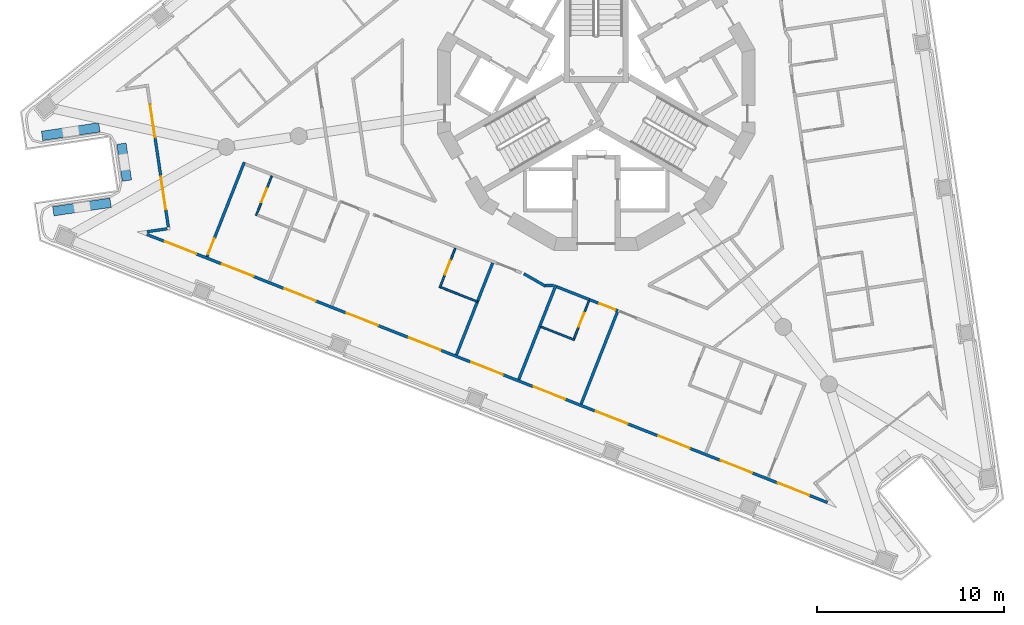
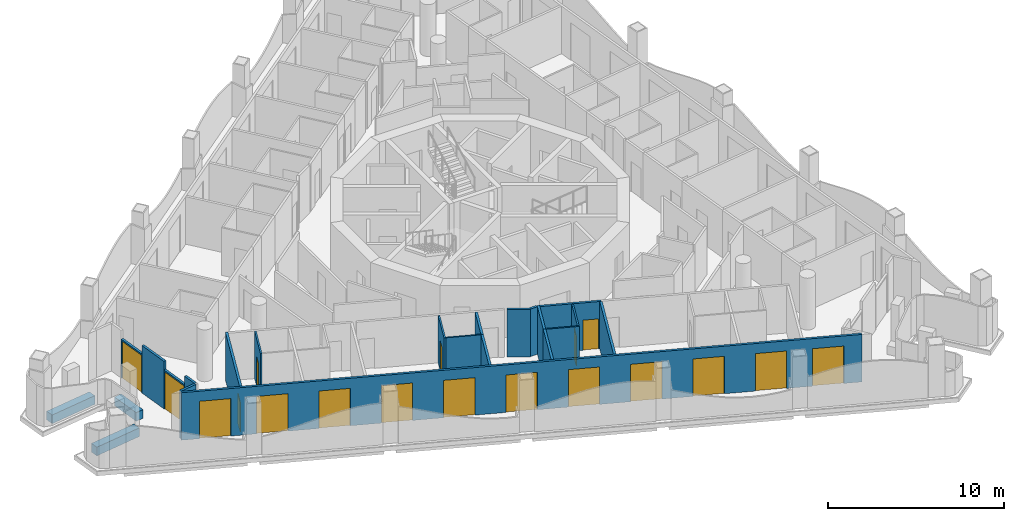
# One storey, part 2 of 17: 24 walls, 18 doors, 18 openings.
"""IFC4 building model written with IfcOpenShell, lengths in metres."""

from ifc_helpers import new_model, si_unit, direction, frame, frame_2d, origin, place, context, subcontext, project, spatial, polyline, rectangle, outline, extrude, material, layer, layer_set, type_object, element, fill, save


model = new_model("IFC4")

# Units and contexts
model_context = context("Model", 3, precision=1e-05, world=origin(), true_north=direction((0.0, 1.0)))
body_context = subcontext(model_context, "Body", "Model", "MODEL_VIEW")
ifc_project = project(units=[si_unit("LENGTHUNIT", "METRE"), si_unit("AREAUNIT", "SQUARE_METRE"), si_unit("VOLUMEUNIT", "CUBIC_METRE"), si_unit("PLANEANGLEUNIT", "RADIAN"), si_unit("MASSUNIT", "GRAM", prefix="KILO")], contexts=[model_context])

# Site, building, storey
site_placement = place(None, origin())
site = spatial("IfcSite", under=ifc_project, at=site_placement, CompositionType="ELEMENT")
building_placement = place(site_placement, origin())
building = spatial("IfcBuilding", under=site, at=building_placement, Name="Trine Commons Tower", CompositionType="ELEMENT")
storey_placement = place(building_placement, frame((0.0, 0.0, 216.0)))
storey = spatial("IfcBuildingStorey", under=building, at=storey_placement, Name="L56", CompositionType="ELEMENT", Elevation=216.0)

# Wall, openings, doors
ifc_material_1 = material(Name="Aluminium-framed insulated wall panel", Category="aluminium")
ifc_layer_1 = layer(ifc_material_1, 0.14990234375)
ifc_layer_set_1 = layer_set([ifc_layer_1], Name="Aluminium-framed insulated wall panel")
wall_type_1 = type_object("IfcWallType", Name="Glazed frame wall 150, EI 60", PredefinedType="SOLIDWALL", material=ifc_layer_set_1)
wall_1_placement = place(storey_placement, frame((92.513916015625, 40.4541015625, 0.0), z_axis=(0.0, 0.0, 1.0), x_axis=(-0.930417922313, 0.3665003272, 0.0)))
wall_1 = element("IfcWall", 1, at=wall_1_placement, inside=storey, type_object=wall_type_1, Name="Glazed frame wall F3", PredefinedType="SOLIDWALL", context=body_context, shape_type="SweptSolid", body=[
    extrude(outline(polyline([(0.1494140625, 0.074951171875), (0.1494140625, -0.074951171875), (39.296875, -0.074951171875), (39.296875, 0.074951171875), (0.1494140625, 0.074951171875)])), origin(), (0.0, 0.0, 1.0), 3.300048828125),
])
opening_1_placement = place(wall_1_placement, frame((1.193115234375, 0.0, 0.0)))
opening_1 = element("IfcOpeningElement", 2, at=opening_1_placement, cuts=wall_1, Name="Opening BD-6F3-01", PredefinedType="OPENING", context=body_context, shape_type="SweptSolid", body=[
    extrude(rectangle(XDim=1.800048828125, YDim=2.60009765625, at=frame_2d((0.89990234375, 1.300048828125))), frame((0.0, 0.0849609375, 0.0), z_axis=(0.0, -1.0, 0.0), x_axis=(1.0, 0.0, 0.0)), (0.0, 0.0, 1.0), 0.169921875),
])
opening_2_placement = place(wall_1_placement, frame((4.47900390625, 0.0, 0.0)))
opening_2 = element("IfcOpeningElement", 3, at=opening_2_placement, cuts=wall_1, Name="Opening BD-6F3-02", PredefinedType="OPENING", context=body_context, shape_type="SweptSolid", body=[
    extrude(rectangle(XDim=1.800048828125, YDim=2.60009765625, at=frame_2d((0.89990234375, 1.300048828125))), frame((0.0, 0.0849609375, 0.0), z_axis=(0.0, -1.0, 0.0), x_axis=(1.0, 0.0, 0.0)), (0.0, 0.0, 1.0), 0.169921875),
])
opening_3_placement = place(wall_1_placement, frame((8.06494140625, 0.0, 0.0)))
opening_3 = element("IfcOpeningElement", 4, at=opening_3_placement, cuts=wall_1, Name="Opening BD-6F3-03", PredefinedType="OPENING", context=body_context, shape_type="SweptSolid", body=[
    extrude(rectangle(XDim=1.800048828125, YDim=2.60009765625, at=frame_2d((0.89990234375, 1.300048828125))), frame((0.0, 0.0849609375, 0.0), z_axis=(0.0, -1.0, 0.0), x_axis=(1.0, 0.0, 0.0)), (0.0, 0.0, 1.0), 0.169921875),
])
opening_4_placement = place(wall_1_placement, frame((11.65087890625, 0.0, 0.0)))
opening_4 = element("IfcOpeningElement", 5, at=opening_4_placement, cuts=wall_1, Name="Opening BD-6F3-04", PredefinedType="OPENING", context=body_context, shape_type="SweptSolid", body=[
    extrude(rectangle(XDim=1.800048828125, YDim=2.60009765625, at=frame_2d((0.89990234375, 1.300048828125))), frame((0.0, 0.0849609375, 0.0), z_axis=(0.0, -1.0, 0.0), x_axis=(1.0, 0.0, 0.0)), (0.0, 0.0, 1.0), 0.169921875),
])
opening_5_placement = place(wall_1_placement, frame((15.237060546875, 0.0, 0.0)))
opening_5 = element("IfcOpeningElement", 6, at=opening_5_placement, cuts=wall_1, Name="Opening BD-6F3-05", PredefinedType="OPENING", context=body_context, shape_type="SweptSolid", body=[
    extrude(rectangle(XDim=1.800048828125, YDim=2.60009765625, at=frame_2d((0.89990234375, 1.300048828125))), frame((0.0, 0.0849609375, 0.0), z_axis=(0.0, -1.0, 0.0), x_axis=(1.0, 0.0, 0.0)), (0.0, 0.0, 1.0), 0.169921875),
])
opening_6_placement = place(wall_1_placement, frame((18.822998046875, 0.0, 0.0)))
opening_6 = element("IfcOpeningElement", 7, at=opening_6_placement, cuts=wall_1, Name="Opening BD-6F3-06", PredefinedType="OPENING", context=body_context, shape_type="SweptSolid", body=[
    extrude(rectangle(XDim=1.800048828125, YDim=2.60009765625, at=frame_2d((0.89990234375, 1.300048828125))), frame((0.0, 0.0849609375, 0.0), z_axis=(0.0, -1.0, 0.0), x_axis=(1.0, 0.0, 0.0)), (0.0, 0.0, 1.0), 0.169921875),
])
opening_7_placement = place(wall_1_placement, frame((22.408935546875, 0.0, 0.0)))
opening_7 = element("IfcOpeningElement", 8, at=opening_7_placement, cuts=wall_1, Name="Opening BD-6F3-07", PredefinedType="OPENING", context=body_context, shape_type="SweptSolid", body=[
    extrude(rectangle(XDim=1.800048828125, YDim=2.60009765625, at=frame_2d((0.89990234375, 1.300048828125))), frame((0.0, 0.0849609375, 0.0), z_axis=(0.0, -1.0, 0.0), x_axis=(1.0, 0.0, 0.0)), (0.0, 0.0, 1.0), 0.169921875),
])
opening_8_placement = place(wall_1_placement, frame((25.9951171875, 0.0, 0.0)))
opening_8 = element("IfcOpeningElement", 9, at=opening_8_placement, cuts=wall_1, Name="Opening BD-6F3-08", PredefinedType="OPENING", context=body_context, shape_type="SweptSolid", body=[
    extrude(rectangle(XDim=1.800048828125, YDim=2.60009765625, at=frame_2d((0.89990234375, 1.300048828125))), frame((0.0, 0.0849609375, 0.0), z_axis=(0.0, -1.0, 0.0), x_axis=(1.0, 0.0, 0.0)), (0.0, 0.0, 1.0), 0.169921875),
])
opening_9_placement = place(wall_1_placement, frame((29.5810546875, 0.0, 0.0)))
opening_9 = element("IfcOpeningElement", 10, at=opening_9_placement, cuts=wall_1, Name="Opening BD-6F3-09", PredefinedType="OPENING", context=body_context, shape_type="SweptSolid", body=[
    extrude(rectangle(XDim=1.800048828125, YDim=2.60009765625, at=frame_2d((0.89990234375, 1.300048828125))), frame((0.0, 0.0849609375, 0.0), z_axis=(0.0, -1.0, 0.0), x_axis=(1.0, 0.0, 0.0)), (0.0, 0.0, 1.0), 0.169921875),
])
opening_10_placement = place(wall_1_placement, frame((33.1669921875, 0.0, 0.0)))
opening_10 = element("IfcOpeningElement", 11, at=opening_10_placement, cuts=wall_1, Name="Opening BD-6F3-10", PredefinedType="OPENING", context=body_context, shape_type="SweptSolid", body=[
    extrude(rectangle(XDim=1.800048828125, YDim=2.60009765625, at=frame_2d((0.89990234375, 1.300048828125))), frame((0.0, 0.0849609375, 0.0), z_axis=(0.0, -1.0, 0.0), x_axis=(1.0, 0.0, 0.0)), (0.0, 0.0, 1.0), 0.169921875),
])
opening_11_placement = place(wall_1_placement, frame((36.452880859375, 0.0, 0.0)))
opening_11 = element("IfcOpeningElement", 12, at=opening_11_placement, cuts=wall_1, Name="Opening BD-6F3-11", PredefinedType="OPENING", context=body_context, shape_type="SweptSolid", body=[
    extrude(rectangle(XDim=1.800048828125, YDim=2.60009765625, at=frame_2d((0.89990234375, 1.300048828125))), frame((0.0, 0.0849609375, 0.0), z_axis=(0.0, -1.0, 0.0), x_axis=(1.0, 0.0, 0.0)), (0.0, 0.0, 1.0), 0.169921875),
])
ifc_material_2 = material(Name="Anodised aluminium frame with double glazing", Category="aluminium")
door_type_1 = type_object("IfcDoorType", Name="Sliding loggia door 1800x2600", OperationType="SLIDING_TO_LEFT", PredefinedType="DOOR", material=ifc_material_2)
door_1_placement = place(opening_1_placement, origin())
door_1 = element("IfcDoor", 13, at=door_1_placement, inside=storey, type_object=door_type_1, Name="Loggia door F3 1", OperationType="SLIDING_TO_LEFT", OverallHeight=2.60009765625, OverallWidth=1.800048828125, PredefinedType="DOOR", context=body_context, shape_type="SweptSolid", body=[
    extrude(rectangle(XDim=1.800048828125, YDim=2.60009765625, at=frame_2d((0.89990234375, 1.300048828125))), frame((0.0, 0.02490234375, 0.0), z_axis=(0.0, -1.0, 0.0), x_axis=(1.0, 0.0, 0.0)), (0.0, 0.0, 1.0), 0.050048828125),
])
fill(opening_1, door_1)
door_2_placement = place(opening_2_placement, origin())
door_2 = element("IfcDoor", 14, at=door_2_placement, inside=storey, type_object=door_type_1, Name="Loggia door F3 2", OperationType="SLIDING_TO_LEFT", OverallHeight=2.60009765625, OverallWidth=1.800048828125, PredefinedType="DOOR", context=body_context, shape_type="SweptSolid", body=[
    extrude(rectangle(XDim=1.800048828125, YDim=2.60009765625, at=frame_2d((0.89990234375, 1.300048828125))), frame((0.0, 0.02490234375, 0.0), z_axis=(0.0, -1.0, 0.0), x_axis=(1.0, 0.0, 0.0)), (0.0, 0.0, 1.0), 0.050048828125),
])
fill(opening_2, door_2)
door_3_placement = place(opening_3_placement, origin())
door_3 = element("IfcDoor", 15, at=door_3_placement, inside=storey, type_object=door_type_1, Name="Loggia door F3 3", OperationType="SLIDING_TO_LEFT", OverallHeight=2.60009765625, OverallWidth=1.800048828125, PredefinedType="DOOR", context=body_context, shape_type="SweptSolid", body=[
    extrude(rectangle(XDim=1.800048828125, YDim=2.60009765625, at=frame_2d((0.89990234375, 1.300048828125))), frame((0.0, 0.02490234375, 0.0), z_axis=(0.0, -1.0, 0.0), x_axis=(1.0, 0.0, 0.0)), (0.0, 0.0, 1.0), 0.050048828125),
])
fill(opening_3, door_3)
door_4_placement = place(opening_4_placement, origin())
door_4 = element("IfcDoor", 16, at=door_4_placement, inside=storey, type_object=door_type_1, Name="Loggia door F3 4", OperationType="SLIDING_TO_LEFT", OverallHeight=2.60009765625, OverallWidth=1.800048828125, PredefinedType="DOOR", context=body_context, shape_type="SweptSolid", body=[
    extrude(rectangle(XDim=1.800048828125, YDim=2.60009765625, at=frame_2d((0.89990234375, 1.300048828125))), frame((0.0, 0.02490234375, 0.0), z_axis=(0.0, -1.0, 0.0), x_axis=(1.0, 0.0, 0.0)), (0.0, 0.0, 1.0), 0.050048828125),
])
fill(opening_4, door_4)
door_5_placement = place(opening_5_placement, origin())
door_5 = element("IfcDoor", 17, at=door_5_placement, inside=storey, type_object=door_type_1, Name="Loggia door F3 5", OperationType="SLIDING_TO_LEFT", OverallHeight=2.60009765625, OverallWidth=1.800048828125, PredefinedType="DOOR", context=body_context, shape_type="SweptSolid", body=[
    extrude(rectangle(XDim=1.800048828125, YDim=2.60009765625, at=frame_2d((0.89990234375, 1.300048828125))), frame((0.0, 0.02490234375, 0.0), z_axis=(0.0, -1.0, 0.0), x_axis=(1.0, 0.0, 0.0)), (0.0, 0.0, 1.0), 0.050048828125),
])
fill(opening_5, door_5)
door_6_placement = place(opening_6_placement, origin())
door_6 = element("IfcDoor", 18, at=door_6_placement, inside=storey, type_object=door_type_1, Name="Loggia door F3 6", OperationType="SLIDING_TO_LEFT", OverallHeight=2.60009765625, OverallWidth=1.800048828125, PredefinedType="DOOR", context=body_context, shape_type="SweptSolid", body=[
    extrude(rectangle(XDim=1.800048828125, YDim=2.60009765625, at=frame_2d((0.89990234375, 1.300048828125))), frame((0.0, 0.02490234375, 0.0), z_axis=(0.0, -1.0, 0.0), x_axis=(1.0, 0.0, 0.0)), (0.0, 0.0, 1.0), 0.050048828125),
])
fill(opening_6, door_6)
door_7_placement = place(opening_7_placement, origin())
door_7 = element("IfcDoor", 19, at=door_7_placement, inside=storey, type_object=door_type_1, Name="Loggia door F3 7", OperationType="SLIDING_TO_LEFT", OverallHeight=2.60009765625, OverallWidth=1.800048828125, PredefinedType="DOOR", context=body_context, shape_type="SweptSolid", body=[
    extrude(rectangle(XDim=1.800048828125, YDim=2.60009765625, at=frame_2d((0.89990234375, 1.300048828125))), frame((0.0, 0.02490234375, 0.0), z_axis=(0.0, -1.0, 0.0), x_axis=(1.0, 0.0, 0.0)), (0.0, 0.0, 1.0), 0.050048828125),
])
fill(opening_7, door_7)
door_8_placement = place(opening_8_placement, origin())
door_8 = element("IfcDoor", 20, at=door_8_placement, inside=storey, type_object=door_type_1, Name="Loggia door F3 8", OperationType="SLIDING_TO_LEFT", OverallHeight=2.60009765625, OverallWidth=1.800048828125, PredefinedType="DOOR", context=body_context, shape_type="SweptSolid", body=[
    extrude(rectangle(XDim=1.800048828125, YDim=2.60009765625, at=frame_2d((0.89990234375, 1.300048828125))), frame((0.0, 0.02490234375, 0.0), z_axis=(0.0, -1.0, 0.0), x_axis=(1.0, 0.0, 0.0)), (0.0, 0.0, 1.0), 0.050048828125),
])
fill(opening_8, door_8)
door_9_placement = place(opening_9_placement, origin())
door_9 = element("IfcDoor", 21, at=door_9_placement, inside=storey, type_object=door_type_1, Name="Loggia door F3 9", OperationType="SLIDING_TO_LEFT", OverallHeight=2.60009765625, OverallWidth=1.800048828125, PredefinedType="DOOR", context=body_context, shape_type="SweptSolid", body=[
    extrude(rectangle(XDim=1.800048828125, YDim=2.60009765625, at=frame_2d((0.89990234375, 1.300048828125))), frame((0.0, 0.02490234375, 0.0), z_axis=(0.0, -1.0, 0.0), x_axis=(1.0, 0.0, 0.0)), (0.0, 0.0, 1.0), 0.050048828125),
])
fill(opening_9, door_9)
door_10_placement = place(opening_10_placement, origin())
door_10 = element("IfcDoor", 22, at=door_10_placement, inside=storey, type_object=door_type_1, Name="Loggia door F3 10", OperationType="SLIDING_TO_LEFT", OverallHeight=2.60009765625, OverallWidth=1.800048828125, PredefinedType="DOOR", context=body_context, shape_type="SweptSolid", body=[
    extrude(rectangle(XDim=1.800048828125, YDim=2.60009765625, at=frame_2d((0.89990234375, 1.300048828125))), frame((0.0, 0.02490234375, 0.0), z_axis=(0.0, -1.0, 0.0), x_axis=(1.0, 0.0, 0.0)), (0.0, 0.0, 1.0), 0.050048828125),
])
fill(opening_10, door_10)
door_11_placement = place(opening_11_placement, origin())
door_11 = element("IfcDoor", 23, at=door_11_placement, inside=storey, type_object=door_type_1, Name="Loggia door F3 11", OperationType="SLIDING_TO_LEFT", OverallHeight=2.60009765625, OverallWidth=1.800048828125, PredefinedType="DOOR", context=body_context, shape_type="SweptSolid", body=[
    extrude(rectangle(XDim=1.800048828125, YDim=2.60009765625, at=frame_2d((0.89990234375, 1.300048828125))), frame((0.0, 0.02490234375, 0.0), z_axis=(0.0, -1.0, 0.0), x_axis=(1.0, 0.0, 0.0)), (0.0, 0.0, 1.0), 0.050048828125),
])
fill(opening_11, door_11)

# Walls
wall_2_placement = place(storey_placement, frame((55.8203125, 54.978515625, 0.0), z_axis=(0.0, 0.0, 1.0), x_axis=(0.98902141065, 0.147772288596, 0.0)))
element("IfcWall", 24, at=wall_2_placement, inside=storey, type_object=wall_type_1, Name="Glazed frame wall R10", PredefinedType="SOLIDWALL", context=body_context, shape_type="SweptSolid", body=[
    extrude(outline(polyline([(0.1494140625, 0.074951171875), (0.1494140625, -0.074951171875), (1.235107421875, -0.074951171875), (1.235107421875, 0.074951171875), (0.1494140625, 0.074951171875)])), origin(), (0.0, 0.0, 1.0), 3.300048828125),
])
wall_3_placement = place(storey_placement, frame((57.12109375, 55.137451171875, 0.0), z_axis=(0.0, 0.0, 1.0), x_axis=(-0.147946480694, 0.988995368468, 0.0)))
element("IfcWall", 25, at=wall_3_placement, inside=storey, type_object=wall_type_1, Name="Glazed frame wall P3.1", PredefinedType="SOLIDWALL", context=body_context, shape_type="SweptSolid", body=[
    extrude(outline(polyline([(0.110107421875, -0.074951171875), (1.0, -0.074951171875), (1.0, 0.074951171875), (0.110107421875, 0.074951171875), (0.110107421875, -0.074951171875)])), origin(), (0.0, 0.0, 1.0), 3.300048828125),
])

# Wall, opening, door
wall_4_placement = place(storey_placement, frame((56.97314453125, 56.12646484375, 0.0), z_axis=(0.0, 0.0, 1.0), x_axis=(-0.147768643441, 0.989021955275, 0.0)))
wall_4 = element("IfcWall", 26, at=wall_4_placement, inside=storey, type_object=wall_type_1, Name="Glazed frame wall P3.2", PredefinedType="SOLIDWALL", context=body_context, shape_type="SweptSolid", body=[
    extrude(outline(polyline([(0.0, -0.074951171875), (1.89990234375, -0.074951171875), (1.89990234375, 0.074951171875), (0.0, 0.074951171875), (0.0, -0.074951171875)])), origin(), (0.0, 0.0, 1.0), 2.699951171875),
])
opening_12_placement = place(wall_4_placement, frame((0.050048828125, 0.0, 0.0)))
opening_12 = element("IfcOpeningElement", 27, at=opening_12_placement, cuts=wall_4, Name="Opening BD-6P3-01", PredefinedType="OPENING", context=body_context, shape_type="SweptSolid", body=[
    extrude(rectangle(XDim=1.800048828125, YDim=2.60009765625, at=frame_2d((0.89990234375, 1.300048828125))), frame((0.0, 0.0849609375, 0.0), z_axis=(0.0, -1.0, 0.0), x_axis=(1.0, 0.0, 0.0)), (0.0, 0.0, 1.0), 0.169921875),
])
door_12_placement = place(opening_12_placement, origin())
door_12 = element("IfcDoor", 28, at=door_12_placement, inside=storey, type_object=door_type_1, Name="Loggia door P3 1", OperationType="SLIDING_TO_LEFT", OverallHeight=2.60009765625, OverallWidth=1.800048828125, PredefinedType="DOOR", context=body_context, shape_type="SweptSolid", body=[
    extrude(rectangle(XDim=1.800048828125, YDim=2.60009765625, at=frame_2d((0.89990234375, 1.300048828125))), frame((0.0, 0.02490234375, 0.0), z_axis=(0.0, -1.0, 0.0), x_axis=(1.0, 0.0, 0.0)), (0.0, 0.0, 1.0), 0.050048828125),
])
fill(opening_12, door_12)

# Wall
wall_5_placement = place(storey_placement, frame((56.6923828125, 58.005615234375, 0.0), z_axis=(0.0, 0.0, 1.0), x_axis=(-0.147827081252, 0.989013222383, 0.0)))
element("IfcWall", 29, at=wall_5_placement, inside=storey, type_object=wall_type_1, Name="Glazed frame wall P3.3", PredefinedType="SOLIDWALL", context=body_context, shape_type="SweptSolid", body=[
    extrude(outline(polyline([(0.0, -0.074951171875), (2.0, -0.074951171875), (2.0, 0.074951171875), (0.0, 0.074951171875), (0.0, -0.074951171875)])), origin(), (0.0, 0.0, 1.0), 3.300048828125),
])

# Wall, opening, door
wall_6_placement = place(storey_placement, frame((56.396728515625, 59.983642578125, 0.0), z_axis=(0.0, 0.0, 1.0), x_axis=(-0.147768643441, 0.989021955275, 0.0)))
wall_6 = element("IfcWall", 30, at=wall_6_placement, inside=storey, type_object=wall_type_1, Name="Glazed frame wall P3.4", PredefinedType="SOLIDWALL", context=body_context, shape_type="SweptSolid", body=[
    extrude(outline(polyline([(0.0, -0.074951171875), (1.89990234375, -0.074951171875), (1.89990234375, 0.074951171875), (0.0, 0.074951171875), (0.0, -0.074951171875)])), origin(), (0.0, 0.0, 1.0), 2.699951171875),
])
opening_13_placement = place(wall_6_placement, frame((0.050048828125, 0.0, 0.0)))
opening_13 = element("IfcOpeningElement", 31, at=opening_13_placement, cuts=wall_6, Name="Opening BD-6P3-02", PredefinedType="OPENING", context=body_context, shape_type="SweptSolid", body=[
    extrude(rectangle(XDim=1.800048828125, YDim=2.60009765625, at=frame_2d((0.89990234375, 1.300048828125))), frame((0.0, 0.0849609375, 0.0), z_axis=(0.0, -1.0, 0.0), x_axis=(1.0, 0.0, 0.0)), (0.0, 0.0, 1.0), 0.169921875),
])
door_13_placement = place(opening_13_placement, origin())
door_13 = element("IfcDoor", 32, at=door_13_placement, inside=storey, type_object=door_type_1, Name="Loggia door P3 2", OperationType="SLIDING_TO_LEFT", OverallHeight=2.60009765625, OverallWidth=1.800048828125, PredefinedType="DOOR", context=body_context, shape_type="SweptSolid", body=[
    extrude(rectangle(XDim=1.800048828125, YDim=2.60009765625, at=frame_2d((0.89990234375, 1.300048828125))), frame((0.0, 0.02490234375, 0.0), z_axis=(0.0, -1.0, 0.0), x_axis=(1.0, 0.0, 0.0)), (0.0, 0.0, 1.0), 0.050048828125),
])
fill(opening_13, door_13)

# Walls
ifc_material_3 = material(Name="Planter trough, precast concrete C40/50", Category="concrete")
ifc_layer_2 = layer(ifc_material_3, 0.5)
ifc_layer_set_2 = layer_set([ifc_layer_2], Name="Planter trough, precast concrete C40/50")
wall_type_2 = type_object("IfcWallType", Name="Planter trough 500x600", PredefinedType="PARAPET", material=ifc_layer_set_2)
wall_7_placement = place(storey_placement, frame((50.94677734375, 56.09521484375, 0.0), z_axis=(0.0, 0.0, 1.0), x_axis=(0.989011904818, 0.147835895942, 0.0)))
element("IfcWall", 33, at=wall_7_placement, inside=storey, type_object=wall_type_2, Name="Planter 1", PredefinedType="PARAPET", context=body_context, shape_type="SweptSolid", body=[
    extrude(rectangle(XDim=3.099853515625, YDim=0.5, at=frame_2d((1.5498046875, 0.0))), origin(), (0.0, 0.0, 1.0), 0.60009765625),
])
wall_8_placement = place(storey_placement, frame((54.887451171875, 57.73583984375, 0.0), z_axis=(0.0, 0.0, 1.0), x_axis=(-0.147827081252, 0.989013222383, 0.0)))
element("IfcWall", 34, at=wall_8_placement, inside=storey, type_object=wall_type_2, Name="Planter 2", PredefinedType="PARAPET", context=body_context, shape_type="SweptSolid", body=[
    extrude(rectangle(XDim=2.0, YDim=0.5, at=frame_2d((1.0, 0.0))), origin(), (0.0, 0.0, 1.0), 0.60009765625),
])
wall_9_placement = place(storey_placement, frame((53.409423828125, 60.588623046875, 0.0), z_axis=(0.0, 0.0, 1.0), x_axis=(-0.989013625991, -0.147824380951, 0.0)))
element("IfcWall", 35, at=wall_9_placement, inside=storey, type_object=wall_type_2, Name="Planter 3", PredefinedType="PARAPET", context=body_context, shape_type="SweptSolid", body=[
    extrude(rectangle(XDim=3.099853515625, YDim=0.5, at=frame_2d((1.5498046875, 0.0))), origin(), (0.0, 0.0, 1.0), 0.60009765625),
])

# Wall, opening, door
ifc_material_4 = material(Name="Gypsum plasterboard on steel stud", Category="steel")
ifc_layer_3 = layer(ifc_material_4, 0.14990234375)
ifc_layer_set_3 = layer_set([ifc_layer_3], Name="Gypsum plasterboard on steel stud")
wall_type_3 = type_object("IfcWallType", Name="Unit and corridor wall 150 mm, EI 60", PredefinedType="PARTITIONING", material=ifc_layer_set_3)
wall_10_placement = place(storey_placement, frame((59.1767578125, 53.666259765625, 0.0), z_axis=(0.0, 0.0, 1.0), x_axis=(0.366413764384, 0.930452015565, 0.0)))
wall_10 = element("IfcWall", 36, at=wall_10_placement, inside=storey, type_object=wall_type_3, Name="Partition 002", PredefinedType="PARTITIONING", context=body_context, shape_type="SweptSolid", body=[
    extrude(rectangle(XDim=5.435546875, YDim=0.14990234375, at=frame_2d((2.7177734375, 0.0))), origin(), (0.0, 0.0, 1.0), 3.300048828125),
])
opening_14_placement = place(wall_10_placement, frame((0.14990234375, 0.0, 0.0)))
opening_14 = element("IfcOpeningElement", 37, at=opening_14_placement, cuts=wall_10, Name="Opening D-6B27", PredefinedType="OPENING", context=body_context, shape_type="SweptSolid", body=[
    extrude(rectangle(XDim=0.89990234375, YDim=2.10009765625, at=frame_2d((0.449951171875, 1.050048828125))), frame((0.0, 0.0849609375, 0.0), z_axis=(0.0, -1.0, 0.0), x_axis=(1.0, 0.0, 0.0)), (0.0, 0.0, 1.0), 0.169921875),
])
ifc_material_5 = material(Name="Timber fire door set", Category="wood")
door_type_2 = type_object("IfcDoorType", Name="Bedroom door 900 x 2100, FD30S", OperationType="NOTDEFINED", PredefinedType="DOOR", material=ifc_material_5)
door_14_placement = place(opening_14_placement, frame((0.89990234375, 0.0, 0.0), z_axis=(0.0, 0.0, 1.0), x_axis=(-1.0, 0.0, 0.0)))
door_14 = element("IfcDoor", 38, at=door_14_placement, inside=storey, type_object=door_type_2, Name="Door D-6B27", OperationType="SINGLE_SWING_RIGHT", OverallHeight=2.10009765625, OverallWidth=0.89990234375, PredefinedType="DOOR", context=body_context, shape_type="SweptSolid", body=[
    extrude(rectangle(XDim=0.89990234375, YDim=2.10009765625, at=frame_2d((0.449951171875, 1.050048828125))), frame((0.0, 0.02490234375, 0.0), z_axis=(0.0, -1.0, 0.0), x_axis=(1.0, 0.0, 0.0)), (0.0, 0.0, 1.0), 0.050048828125),
])
fill(opening_14, door_14)

# Walls
wall_11_placement = place(storey_placement, frame((72.522705078125, 48.4091796875, 0.0), z_axis=(0.0, 0.0, 1.0), x_axis=(0.366591400061, 0.930382042712, 0.0)))
element("IfcWall", 39, at=wall_11_placement, inside=storey, type_object=wall_type_3, Name="Partition 043", PredefinedType="PARTITIONING", context=body_context, shape_type="SweptSolid", body=[
    extrude(rectangle(XDim=3.064208984375, YDim=0.14990234375, at=frame_2d((1.5322265625, 0.0))), origin(), (0.0, 0.0, 1.0), 3.300048828125),
])
wall_12_placement = place(storey_placement, frame((73.64306640625, 51.2529296875, 0.0), z_axis=(0.0, 0.0, 1.0), x_axis=(0.366248689525, 0.930517005444, 0.0)))
element("IfcWall", 40, at=wall_12_placement, inside=storey, type_object=wall_type_3, Name="Partition 046", PredefinedType="PARTITIONING", context=body_context, shape_type="SweptSolid", body=[
    extrude(rectangle(XDim=2.22900390625, YDim=0.14990234375, at=frame_2d((1.114501953125, 0.0))), origin(), (0.0, 0.0, 1.0), 3.300048828125),
])
wall_13_placement = place(storey_placement, frame((75.858642578125, 47.09521484375, 0.0), z_axis=(0.0, 0.0, 1.0), x_axis=(0.366777753462, 0.930308593729, 0.0)))
element("IfcWall", 41, at=wall_13_placement, inside=storey, type_object=wall_type_3, Name="Partition 050", PredefinedType="PARTITIONING", context=body_context, shape_type="SweptSolid", body=[
    extrude(rectangle(XDim=3.059814453125, YDim=0.14990234375, at=frame_2d((1.52978515625, 0.0))), origin(), (0.0, 0.0, 1.0), 3.300048828125),
])
wall_14_placement = place(storey_placement, frame((76.131103515625, 52.75390625, 0.0), z_axis=(0.0, 0.0, 1.0), x_axis=(0.865910926182, -0.500198228624, 0.0)))
element("IfcWall", 42, at=wall_14_placement, inside=storey, type_object=wall_type_3, Name="Partition 051", PredefinedType="PARTITIONING", context=body_context, shape_type="SweptSolid", body=[
    extrude(rectangle(XDim=1.33251953125, YDim=0.14990234375, at=frame_2d((0.666259765625, 0.0))), origin(), (0.0, 0.0, 1.0), 3.300048828125),
])
wall_15_placement = place(storey_placement, frame((76.98095703125, 49.94189453125, 0.0), z_axis=(0.0, 0.0, 1.0), x_axis=(0.366529910892, 0.930406268477, 0.0)))
element("IfcWall", 43, at=wall_15_placement, inside=storey, type_object=wall_type_3, Name="Partition 053", PredefinedType="PARTITIONING", context=body_context, shape_type="SweptSolid", body=[
    extrude(rectangle(XDim=2.375244140625, YDim=0.14990234375, at=frame_2d((1.1875, 0.0))), origin(), (0.0, 0.0, 1.0), 3.300048828125),
])
wall_16_placement = place(storey_placement, frame((77.294921875, 52.125, 0.0), z_axis=(0.0, 0.0, 1.0), x_axis=(1.0, 0.0, 0.0)))
element("IfcWall", 44, at=wall_16_placement, inside=storey, type_object=wall_type_3, Name="Partition 056", PredefinedType="PARTITIONING", context=body_context, shape_type="SweptSolid", body=[
    extrude(rectangle(XDim=0.43212890625, YDim=0.14990234375, at=frame_2d((0.216064453125, 0.0))), origin(), (0.0, 0.0, 1.0), 3.300048828125),
])
wall_17_placement = place(storey_placement, frame((77.890869140625, 52.056396484375, 0.0), z_axis=(0.0, 0.0, 1.0), x_axis=(0.930484781862, -0.366330548443, 0.0)))
element("IfcWall", 45, at=wall_17_placement, inside=storey, type_object=wall_type_3, Name="Partition 060", PredefinedType="PARTITIONING", context=body_context, shape_type="SweptSolid", body=[
    extrude(rectangle(XDim=1.882080078125, YDim=0.14990234375, at=frame_2d((0.94091796875, 0.0))), origin(), (0.0, 0.0, 1.0), 3.300048828125),
])
wall_18_placement = place(storey_placement, frame((79.19580078125, 45.78125, 0.0), z_axis=(0.0, 0.0, 1.0), x_axis=(0.366486950259, 0.930423191505, 0.0)))
element("IfcWall", 46, at=wall_18_placement, inside=storey, type_object=wall_type_3, Name="Partition 063", PredefinedType="PARTITIONING", context=body_context, shape_type="SweptSolid", body=[
    extrude(rectangle(XDim=5.28466796875, YDim=0.14990234375, at=frame_2d((2.642333984375, 0.0))), origin(), (0.0, 0.0, 1.0), 3.300048828125),
])

# Wall, opening, door
wall_19_placement = place(storey_placement, frame((79.635009765625, 51.3701171875, 0.0), z_axis=(0.0, 0.0, 1.0), x_axis=(0.930268646591, -0.366879060686, 0.0)))
wall_19 = element("IfcWall", 47, at=wall_19_placement, inside=storey, type_object=wall_type_3, Name="Partition 066", PredefinedType="PARTITIONING", context=body_context, shape_type="SweptSolid", body=[
    extrude(rectangle(XDim=1.6435546875, YDim=0.14990234375, at=frame_2d((0.82177734375, 0.0))), origin(), (0.0, 0.0, 1.0), 3.300048828125),
])
opening_15_placement = place(wall_19_placement, frame((0.589599609375, 0.0, 0.0)))
opening_15 = element("IfcOpeningElement", 48, at=opening_15_placement, cuts=wall_19, Name="Opening D-6B23", PredefinedType="OPENING", context=body_context, shape_type="SweptSolid", body=[
    extrude(rectangle(XDim=0.89990234375, YDim=2.10009765625, at=frame_2d((0.449951171875, 1.050048828125))), frame((0.0, 0.0849609375, 0.0), z_axis=(0.0, -1.0, 0.0), x_axis=(1.0, 0.0, 0.0)), (0.0, 0.0, 1.0), 0.169921875),
])
door_15_placement = place(opening_15_placement, frame((0.89990234375, 0.0, 0.0), z_axis=(0.0, 0.0, 1.0), x_axis=(-1.0, 0.0, 0.0)))
door_15 = element("IfcDoor", 49, at=door_15_placement, inside=storey, type_object=door_type_2, Name="Door D-6B23", OperationType="SINGLE_SWING_LEFT", OverallHeight=2.10009765625, OverallWidth=0.89990234375, PredefinedType="DOOR", context=body_context, shape_type="SweptSolid", body=[
    extrude(rectangle(XDim=0.89990234375, YDim=2.10009765625, at=frame_2d((0.449951171875, 1.050048828125))), frame((0.0, 0.02490234375, 0.0), z_axis=(0.0, -1.0, 0.0), x_axis=(1.0, 0.0, 0.0)), (0.0, 0.0, 1.0), 0.050048828125),
])
fill(opening_15, door_15)

ifc_layer_4 = layer(ifc_material_4, 0.10009765625)
ifc_layer_set_4 = layer_set([ifc_layer_4], Name="Gypsum plasterboard on steel stud")
wall_type_4 = type_object("IfcWallType", Name="Unit partition 100 mm, no rating", PredefinedType="PARTITIONING", material=ifc_layer_set_4)
wall_20_placement = place(storey_placement, frame((61.8017578125, 55.867431640625, 0.0), z_axis=(0.0, 0.0, 1.0), x_axis=(0.366482291334, 0.930425026608, 0.0)))
wall_20 = element("IfcWall", 50, at=wall_20_placement, inside=storey, type_object=wall_type_4, Name="Partition 008", PredefinedType="PARTITIONING", context=body_context, shape_type="SweptSolid", body=[
    extrude(rectangle(XDim=2.27490234375, YDim=0.10009765625, at=frame_2d((1.137451171875, 0.0))), origin(), (0.0, 0.0, 1.0), 3.300048828125),
])
opening_16_placement = place(wall_20_placement, frame((0.762451171875, 0.0, 0.0)))
opening_16 = element("IfcOpeningElement", 51, at=opening_16_placement, cuts=wall_20, Name="Opening D-6B55", PredefinedType="OPENING", context=body_context, shape_type="SweptSolid", body=[
    extrude(rectangle(XDim=0.800048828125, YDim=2.10009765625, at=frame_2d((0.39990234375, 1.050048828125))), frame((0.0, 0.06005859375, 0.0), z_axis=(0.0, -1.0, 0.0), x_axis=(1.0, 0.0, 0.0)), (0.0, 0.0, 1.0), 0.1201171875),
])
ifc_material_6 = material(Name="Painted timber", Category="wood")
door_type_3 = type_object("IfcDoorType", Name="Internal door 800 x 2100, NOT RATED", OperationType="NOTDEFINED", PredefinedType="DOOR", material=ifc_material_6)
door_16_placement = place(opening_16_placement, origin())
door_16 = element("IfcDoor", 52, at=door_16_placement, inside=storey, type_object=door_type_3, Name="Door D-6B55", OperationType="SINGLE_SWING_RIGHT", OverallHeight=2.10009765625, OverallWidth=0.800048828125, PredefinedType="DOOR", context=body_context, shape_type="SweptSolid", body=[
    extrude(rectangle(XDim=0.800048828125, YDim=2.10009765625, at=frame_2d((0.39990234375, 1.050048828125))), frame((0.0, 0.02490234375, 0.0), z_axis=(0.0, -1.0, 0.0), x_axis=(1.0, 0.0, 0.0)), (0.0, 0.0, 1.0), 0.050048828125),
])
fill(opening_16, door_16)

wall_21_placement = place(storey_placement, frame((71.625732421875, 51.99853515625, 0.0), z_axis=(0.0, 0.0, 1.0), x_axis=(0.366482291334, 0.930425026608, 0.0)))
wall_21 = element("IfcWall", 53, at=wall_21_placement, inside=storey, type_object=wall_type_4, Name="Partition 038", PredefinedType="PARTITIONING", context=body_context, shape_type="SweptSolid", body=[
    extrude(rectangle(XDim=2.27490234375, YDim=0.10009765625, at=frame_2d((1.137451171875, 0.0))), origin(), (0.0, 0.0, 1.0), 3.300048828125),
])
opening_17_placement = place(wall_21_placement, frame((0.762451171875, 0.0, 0.0)))
opening_17 = element("IfcOpeningElement", 54, at=opening_17_placement, cuts=wall_21, Name="Opening D-6B53", PredefinedType="OPENING", context=body_context, shape_type="SweptSolid", body=[
    extrude(rectangle(XDim=0.800048828125, YDim=2.10009765625, at=frame_2d((0.39990234375, 1.050048828125))), frame((0.0, 0.06005859375, 0.0), z_axis=(0.0, -1.0, 0.0), x_axis=(1.0, 0.0, 0.0)), (0.0, 0.0, 1.0), 0.1201171875),
])
door_17_placement = place(opening_17_placement, origin())
door_17 = element("IfcDoor", 55, at=door_17_placement, inside=storey, type_object=door_type_3, Name="Door D-6B53", OperationType="SINGLE_SWING_RIGHT", OverallHeight=2.10009765625, OverallWidth=0.800048828125, PredefinedType="DOOR", context=body_context, shape_type="SweptSolid", body=[
    extrude(rectangle(XDim=0.800048828125, YDim=2.10009765625, at=frame_2d((0.39990234375, 1.050048828125))), frame((0.0, 0.02490234375, 0.0), z_axis=(0.0, -1.0, 0.0), x_axis=(1.0, 0.0, 0.0)), (0.0, 0.0, 1.0), 0.050048828125),
])
fill(opening_17, door_17)

# Walls
wall_22_placement = place(storey_placement, frame((71.6904296875, 52.026611328125, 0.0), z_axis=(0.0, 0.0, 1.0), x_axis=(0.93042040786, -0.366494017192, 0.0)))
element("IfcWall", 56, at=wall_22_placement, inside=storey, type_object=wall_type_4, Name="Partition 039", PredefinedType="PARTITIONING", context=body_context, shape_type="SweptSolid", body=[
    extrude(rectangle(XDim=2.099609375, YDim=0.10009765625, at=frame_2d((1.0498046875, 0.0))), origin(), (0.0, 0.0, 1.0), 3.300048828125),
])
wall_23_placement = place(storey_placement, frame((77.05078125, 49.91455078125, 0.0), z_axis=(0.0, 0.0, 1.0), x_axis=(0.930518470996, -0.366244966021, 0.0)))
element("IfcWall", 57, at=wall_23_placement, inside=storey, type_object=wall_type_4, Name="Partition 054", PredefinedType="PARTITIONING", context=body_context, shape_type="SweptSolid", body=[
    extrude(rectangle(XDim=1.924560546875, YDim=0.10009765625, at=frame_2d((0.96240234375, 0.0))), origin(), (0.0, 0.0, 1.0), 3.300048828125),
])

# Wall, opening, door
wall_24_placement = place(storey_placement, frame((78.813232421875, 49.2744140625, 0.0), z_axis=(0.0, 0.0, 1.0), x_axis=(0.366586349489, 0.930384032735, 0.0)))
wall_24 = element("IfcWall", 58, at=wall_24_placement, inside=storey, type_object=wall_type_4, Name="Partition 061", PredefinedType="PARTITIONING", context=body_context, shape_type="SweptSolid", body=[
    extrude(rectangle(XDim=2.175048828125, YDim=0.10009765625, at=frame_2d((1.08740234375, 0.0))), origin(), (0.0, 0.0, 1.0), 3.300048828125),
])
opening_18_placement = place(wall_24_placement, frame((0.6875, 0.0, 0.0)))
opening_18 = element("IfcOpeningElement", 59, at=opening_18_placement, cuts=wall_24, Name="Opening D-6B52", PredefinedType="OPENING", context=body_context, shape_type="SweptSolid", body=[
    extrude(rectangle(XDim=0.800048828125, YDim=2.10009765625, at=frame_2d((0.39990234375, 1.050048828125))), frame((0.0, 0.06005859375, 0.0), z_axis=(0.0, -1.0, 0.0), x_axis=(1.0, 0.0, 0.0)), (0.0, 0.0, 1.0), 0.1201171875),
])
door_18_placement = place(opening_18_placement, frame((0.800048828125, 0.0, 0.0), z_axis=(0.0, 0.0, 1.0), x_axis=(-1.0, 0.0, 0.0)))
door_18 = element("IfcDoor", 60, at=door_18_placement, inside=storey, type_object=door_type_3, Name="Door D-6B52", OperationType="SINGLE_SWING_LEFT", OverallHeight=2.10009765625, OverallWidth=0.800048828125, PredefinedType="DOOR", context=body_context, shape_type="SweptSolid", body=[
    extrude(rectangle(XDim=0.800048828125, YDim=2.10009765625, at=frame_2d((0.39990234375, 1.050048828125))), frame((0.0, 0.02490234375, 0.0), z_axis=(0.0, -1.0, 0.0), x_axis=(1.0, 0.0, 0.0)), (0.0, 0.0, 1.0), 0.050048828125),
])
fill(opening_18, door_18)

save(model, "model.ifc")
